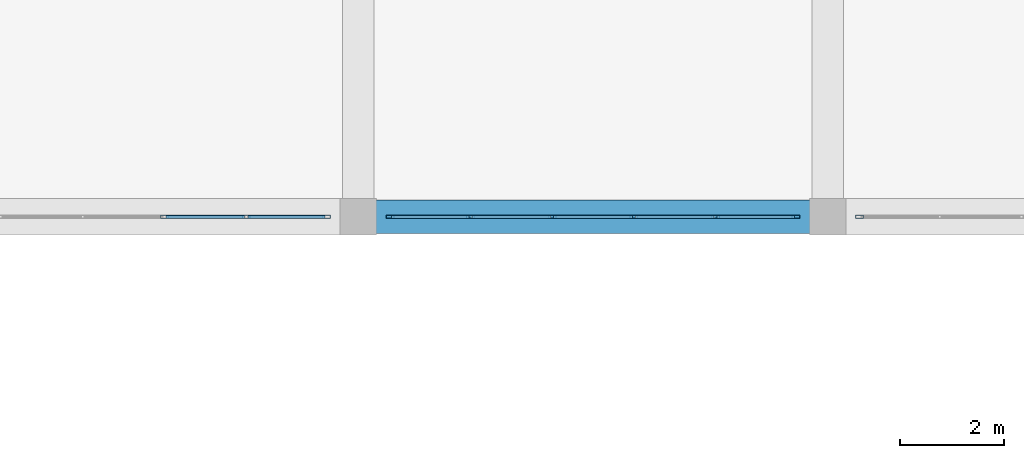
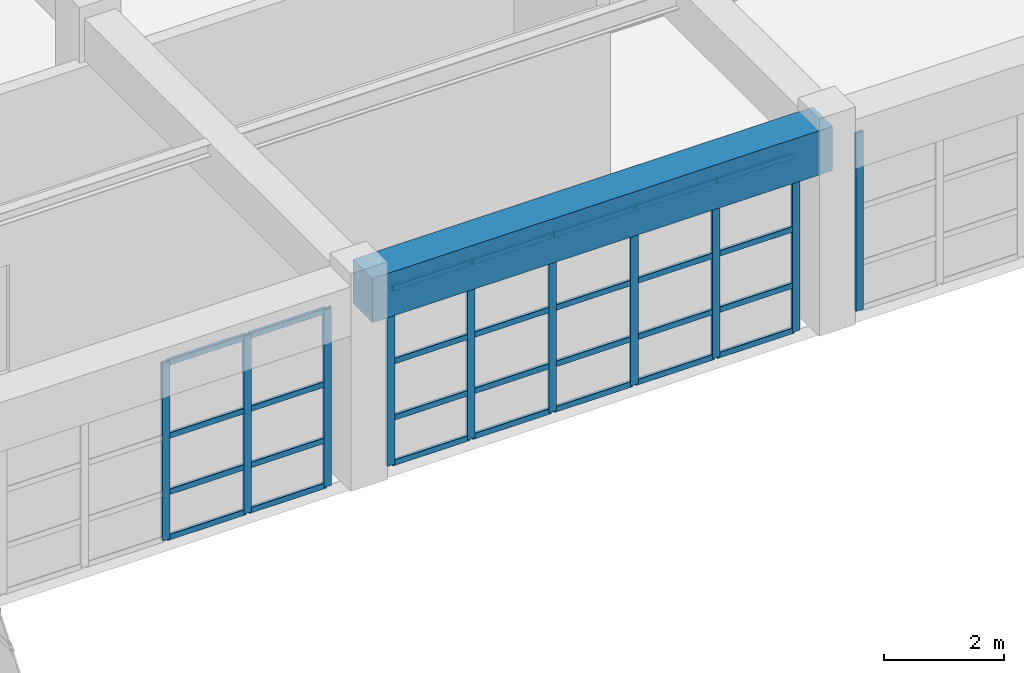
# One storey, part 33 of 133: 38 members, 1 beam, 3 elements without a shape of their own.
"""IFC4 building model written with IfcOpenShell, lengths in metres."""

from ifc_helpers import new_model, si_unit, direction, frame, origin, origin_2d, place, context, subcontext, project, spatial, rectangle, hollow_rectangle, extrude, material, material_profile, profile_set, type_object, element, aggregate, save


model = new_model("IFC4")

# Units and contexts
model_context = context("Model", 3, precision=1e-05, world=origin(), true_north=direction((0.0, 1.0)))
body_context = subcontext(model_context, "Body", "Model", "MODEL_VIEW")
ifc_project = project(units=[si_unit("LENGTHUNIT", "METRE"), si_unit("AREAUNIT", "SQUARE_METRE"), si_unit("VOLUMEUNIT", "CUBIC_METRE"), si_unit("PLANEANGLEUNIT", "RADIAN"), si_unit("MASSUNIT", "GRAM", prefix="KILO")], contexts=[model_context])

# Site, building, storey
site_placement = place(None, origin())
site = spatial("IfcSite", under=ifc_project, at=site_placement, CompositionType="ELEMENT")
building_placement = place(site_placement, origin())
building = spatial("IfcBuilding", under=site, at=building_placement, Name="Miravela Opera House", CompositionType="ELEMENT")
storey_placement = place(building_placement, frame((0.0, 0.0, 5.10009765625)))
storey = spatial("IfcBuildingStorey", under=building, at=storey_placement, Name="L01", CompositionType="ELEMENT", Elevation=5.10009765625)

# Curtain wall, members
ifc_material_1 = material(Name="Anodised architectural bronze aluminium 6063-T6", Category="aluminium")
curtain_wall_type = type_object("IfcCurtainWallType", Name="ARC-CW-06", PredefinedType="NOTDEFINED", material=ifc_material_1)
curtain_wall_1_placement = place(storey_placement, origin())
curtain_wall_1 = element("IfcCurtainWall", 1, at=curtain_wall_1_placement, inside=storey, type_object=curtain_wall_type, Name="Courtyard Arcade Curtain Wall CW-L01-124", PredefinedType="NOTDEFINED")
ifc_material_profile_1 = material_profile(ifc_material_1, hollow_rectangle(XDim=0.06005859375, YDim=0.14990234375, WallThickness=0.00390625, InnerFilletRadius=0.001953125, OuterFilletRadius=0.00390625, at=origin_2d()), Name="CWM-60X150")
ifc_profile_set_1 = profile_set([ifc_material_profile_1])
member_type_1 = type_object("IfcMemberType", Name="ARC-CWM-150", PredefinedType="MULLION", material=ifc_profile_set_1)
member_1_placement = place(storey_placement, frame((32.283935546875, 28.0, 0.0), z_axis=(0.0, 0.0, 1.0), x_axis=(0.0, 1.0, 0.0)))
member_1 = element("IfcMember", 2, at=member_1_placement, type_object=member_type_1, Name="CW-06 mullion 4", PredefinedType="MULLION", context=body_context, shape_type="SweptSolid", body=[
    extrude(hollow_rectangle(XDim=0.06005859375, YDim=0.14990234375, WallThickness=0.00390625, InnerFilletRadius=0.001953125, OuterFilletRadius=0.00390625, at=origin_2d()), origin(), (0.0, 0.0, 1.0), 3.60986328125),
])
member_2_placement = place(storey_placement, frame((33.85205078125, 28.0, 0.0), z_axis=(0.0, 0.0, 1.0), x_axis=(0.0, 1.0, 0.0)))
member_2 = element("IfcMember", 3, at=member_2_placement, type_object=member_type_1, Name="CW-06 mullion 5", PredefinedType="MULLION", context=body_context, shape_type="SweptSolid", body=[
    extrude(hollow_rectangle(XDim=0.06005859375, YDim=0.14990234375, WallThickness=0.00390625, InnerFilletRadius=0.001953125, OuterFilletRadius=0.00390625, at=origin_2d()), origin(), (0.0, 0.0, 1.0), 3.60986328125),
])
member_3_placement = place(storey_placement, frame((35.389892578125, 28.0, 0.0), z_axis=(0.0, 0.0, 1.0), x_axis=(0.0, 1.0, 0.0)))
member_3 = element("IfcMember", 4, at=member_3_placement, type_object=member_type_1, Name="CW-06 mullion 6", PredefinedType="MULLION", context=body_context, shape_type="SweptSolid", body=[
    extrude(hollow_rectangle(XDim=0.06005859375, YDim=0.14990234375, WallThickness=0.00390625, InnerFilletRadius=0.001953125, OuterFilletRadius=0.00390625, at=origin_2d()), origin(), (0.0, 0.0, 1.0), 3.60986328125),
])

curtain_wall_2_placement = place(storey_placement, origin())
curtain_wall_2 = element("IfcCurtainWall", 5, at=curtain_wall_2_placement, inside=storey, type_object=curtain_wall_type, Name="Courtyard Arcade Curtain Wall CW-L01-126", PredefinedType="NOTDEFINED")
member_4_placement = place(storey_placement, frame((36.610107421875, 28.0, 0.0), z_axis=(0.0, 0.0, 1.0), x_axis=(0.0, 1.0, 0.0)))
member_4 = element("IfcMember", 6, at=member_4_placement, type_object=member_type_1, Name="CW-06 mullion 1", PredefinedType="MULLION", context=body_context, shape_type="SweptSolid", body=[
    extrude(hollow_rectangle(XDim=0.06005859375, YDim=0.14990234375, WallThickness=0.00390625, InnerFilletRadius=0.001953125, OuterFilletRadius=0.00390625, at=origin_2d()), origin(), (0.0, 0.0, 1.0), 3.60986328125),
])
member_5_placement = place(storey_placement, frame((38.14794921875, 28.0, 0.0), z_axis=(0.0, 0.0, 1.0), x_axis=(0.0, 1.0, 0.0)))
member_5 = element("IfcMember", 7, at=member_5_placement, type_object=member_type_1, Name="CW-06 mullion 2", PredefinedType="MULLION", context=body_context, shape_type="SweptSolid", body=[
    extrude(hollow_rectangle(XDim=0.06005859375, YDim=0.14990234375, WallThickness=0.00390625, InnerFilletRadius=0.001953125, OuterFilletRadius=0.00390625, at=origin_2d()), origin(), (0.0, 0.0, 1.0), 3.60986328125),
])
member_6_placement = place(storey_placement, frame((39.716064453125, 28.0, 0.0), z_axis=(0.0, 0.0, 1.0), x_axis=(0.0, 1.0, 0.0)))
member_6 = element("IfcMember", 8, at=member_6_placement, type_object=member_type_1, Name="CW-06 mullion 3", PredefinedType="MULLION", context=body_context, shape_type="SweptSolid", body=[
    extrude(hollow_rectangle(XDim=0.06005859375, YDim=0.14990234375, WallThickness=0.00390625, InnerFilletRadius=0.001953125, OuterFilletRadius=0.00390625, at=origin_2d()), origin(), (0.0, 0.0, 1.0), 3.60986328125),
])
member_7_placement = place(storey_placement, frame((41.283935546875, 28.0, 0.0), z_axis=(0.0, 0.0, 1.0), x_axis=(0.0, 1.0, 0.0)))
member_7 = element("IfcMember", 9, at=member_7_placement, type_object=member_type_1, Name="CW-06 mullion 4", PredefinedType="MULLION", context=body_context, shape_type="SweptSolid", body=[
    extrude(hollow_rectangle(XDim=0.06005859375, YDim=0.14990234375, WallThickness=0.00390625, InnerFilletRadius=0.001953125, OuterFilletRadius=0.00390625, at=origin_2d()), origin(), (0.0, 0.0, 1.0), 3.60986328125),
])
member_8_placement = place(storey_placement, frame((42.85205078125, 28.0, 0.0), z_axis=(0.0, 0.0, 1.0), x_axis=(0.0, 1.0, 0.0)))
member_8 = element("IfcMember", 10, at=member_8_placement, type_object=member_type_1, Name="CW-06 mullion 5", PredefinedType="MULLION", context=body_context, shape_type="SweptSolid", body=[
    extrude(hollow_rectangle(XDim=0.06005859375, YDim=0.14990234375, WallThickness=0.00390625, InnerFilletRadius=0.001953125, OuterFilletRadius=0.00390625, at=origin_2d()), origin(), (0.0, 0.0, 1.0), 3.60986328125),
])
member_9_placement = place(storey_placement, frame((44.389892578125, 28.0, 0.0), z_axis=(0.0, 0.0, 1.0), x_axis=(0.0, 1.0, 0.0)))
member_9 = element("IfcMember", 11, at=member_9_placement, type_object=member_type_1, Name="CW-06 mullion 6", PredefinedType="MULLION", context=body_context, shape_type="SweptSolid", body=[
    extrude(hollow_rectangle(XDim=0.06005859375, YDim=0.14990234375, WallThickness=0.00390625, InnerFilletRadius=0.001953125, OuterFilletRadius=0.00390625, at=origin_2d()), origin(), (0.0, 0.0, 1.0), 3.60986328125),
])

# Curtain wall, member
curtain_wall_3_placement = place(storey_placement, origin())
curtain_wall_3 = element("IfcCurtainWall", 12, at=curtain_wall_3_placement, inside=storey, type_object=curtain_wall_type, Name="Courtyard Arcade Curtain Wall CW-L01-128", PredefinedType="NOTDEFINED")
member_10_placement = place(storey_placement, frame((45.610107421875, 28.0, 0.0), z_axis=(0.0, 0.0, 1.0), x_axis=(0.0, 1.0, 0.0)))
member_10 = element("IfcMember", 13, at=member_10_placement, type_object=member_type_1, Name="CW-06 mullion 1", PredefinedType="MULLION", context=body_context, shape_type="SweptSolid", body=[
    extrude(hollow_rectangle(XDim=0.06005859375, YDim=0.14990234375, WallThickness=0.00390625, InnerFilletRadius=0.001953125, OuterFilletRadius=0.00390625, at=origin_2d()), origin(), (0.0, 0.0, 1.0), 3.60986328125),
])
aggregate(curtain_wall_3, [member_10])

# Member
ifc_material_profile_2 = material_profile(ifc_material_1, hollow_rectangle(XDim=0.06005859375, YDim=0.114990234375, WallThickness=0.00390625, InnerFilletRadius=0.001953125, OuterFilletRadius=0.00390625, at=origin_2d()), Name="CWT-60X115")
ifc_profile_set_2 = profile_set([ifc_material_profile_2])
member_type_2 = type_object("IfcMemberType", Name="ARC-CWT-115", PredefinedType="USERDEFINED", material=ifc_profile_set_2)
member_11_placement = place(storey_placement, frame((32.31396484375, 28.0, 0.02978515625), z_axis=(1.0, 0.0, 0.0), x_axis=(0.0, 1.0, 0.0)))
member_11 = element("IfcMember", 14, at=member_11_placement, type_object=member_type_2, Name="CW-06 transom 4.1", ObjectType="TRANSOM", PredefinedType="USERDEFINED", context=body_context, shape_type="SweptSolid", body=[
    extrude(hollow_rectangle(XDim=0.06005859375, YDim=0.114990234375, WallThickness=0.00390625, InnerFilletRadius=0.001953125, OuterFilletRadius=0.00390625, at=origin_2d()), origin(), (0.0, 0.0, 1.0), 1.508056640625),
])

member_12_placement = place(storey_placement, frame((32.31396484375, 28.0, 0.949951171875), z_axis=(1.0, 0.0, 0.0), x_axis=(0.0, 1.0, 0.0)))
member_12 = element("IfcMember", 15, at=member_12_placement, type_object=member_type_2, Name="CW-06 transom 4.2", ObjectType="TRANSOM", PredefinedType="USERDEFINED", context=body_context, shape_type="SweptSolid", body=[
    extrude(hollow_rectangle(XDim=0.06005859375, YDim=0.114990234375, WallThickness=0.00390625, InnerFilletRadius=0.001953125, OuterFilletRadius=0.00390625, at=origin_2d()), origin(), (0.0, 0.0, 1.0), 1.508056640625),
])

member_13_placement = place(storey_placement, frame((32.31396484375, 28.0, 2.09375), z_axis=(1.0, 0.0, 0.0), x_axis=(0.0, 1.0, 0.0)))
member_13 = element("IfcMember", 16, at=member_13_placement, type_object=member_type_2, Name="CW-06 transom 4.3", ObjectType="TRANSOM", PredefinedType="USERDEFINED", context=body_context, shape_type="SweptSolid", body=[
    extrude(hollow_rectangle(XDim=0.06005859375, YDim=0.114990234375, WallThickness=0.00390625, InnerFilletRadius=0.001953125, OuterFilletRadius=0.00390625, at=origin_2d()), origin(), (0.0, 0.0, 1.0), 1.508056640625),
])

member_14_placement = place(storey_placement, frame((32.31396484375, 28.0, 3.579833984375), z_axis=(1.0, 0.0, 0.0), x_axis=(0.0, 1.0, 0.0)))
member_14 = element("IfcMember", 17, at=member_14_placement, type_object=member_type_2, Name="CW-06 transom 4.4", ObjectType="TRANSOM", PredefinedType="USERDEFINED", context=body_context, shape_type="SweptSolid", body=[
    extrude(hollow_rectangle(XDim=0.06005859375, YDim=0.114990234375, WallThickness=0.00390625, InnerFilletRadius=0.001953125, OuterFilletRadius=0.00390625, at=origin_2d()), origin(), (0.0, 0.0, 1.0), 1.508056640625),
])

member_15_placement = place(storey_placement, frame((33.882080078125, 28.0, 0.02978515625), z_axis=(1.0, 0.0, 0.0), x_axis=(0.0, 1.0, 0.0)))
member_15 = element("IfcMember", 18, at=member_15_placement, type_object=member_type_2, Name="CW-06 transom 5.1", ObjectType="TRANSOM", PredefinedType="USERDEFINED", context=body_context, shape_type="SweptSolid", body=[
    extrude(hollow_rectangle(XDim=0.06005859375, YDim=0.114990234375, WallThickness=0.00390625, InnerFilletRadius=0.001953125, OuterFilletRadius=0.00390625, at=origin_2d()), origin(), (0.0, 0.0, 1.0), 1.47802734375),
])

member_16_placement = place(storey_placement, frame((33.882080078125, 28.0, 0.949951171875), z_axis=(1.0, 0.0, 0.0), x_axis=(0.0, 1.0, 0.0)))
member_16 = element("IfcMember", 19, at=member_16_placement, type_object=member_type_2, Name="CW-06 transom 5.2", ObjectType="TRANSOM", PredefinedType="USERDEFINED", context=body_context, shape_type="SweptSolid", body=[
    extrude(hollow_rectangle(XDim=0.06005859375, YDim=0.114990234375, WallThickness=0.00390625, InnerFilletRadius=0.001953125, OuterFilletRadius=0.00390625, at=origin_2d()), origin(), (0.0, 0.0, 1.0), 1.47802734375),
])

member_17_placement = place(storey_placement, frame((33.882080078125, 28.0, 2.09375), z_axis=(1.0, 0.0, 0.0), x_axis=(0.0, 1.0, 0.0)))
member_17 = element("IfcMember", 20, at=member_17_placement, type_object=member_type_2, Name="CW-06 transom 5.3", ObjectType="TRANSOM", PredefinedType="USERDEFINED", context=body_context, shape_type="SweptSolid", body=[
    extrude(hollow_rectangle(XDim=0.06005859375, YDim=0.114990234375, WallThickness=0.00390625, InnerFilletRadius=0.001953125, OuterFilletRadius=0.00390625, at=origin_2d()), origin(), (0.0, 0.0, 1.0), 1.47802734375),
])

member_18_placement = place(storey_placement, frame((33.882080078125, 28.0, 3.579833984375), z_axis=(1.0, 0.0, 0.0), x_axis=(0.0, 1.0, 0.0)))
member_18 = element("IfcMember", 21, at=member_18_placement, type_object=member_type_2, Name="CW-06 transom 5.4", ObjectType="TRANSOM", PredefinedType="USERDEFINED", context=body_context, shape_type="SweptSolid", body=[
    extrude(hollow_rectangle(XDim=0.06005859375, YDim=0.114990234375, WallThickness=0.00390625, InnerFilletRadius=0.001953125, OuterFilletRadius=0.00390625, at=origin_2d()), origin(), (0.0, 0.0, 1.0), 1.47802734375),
])

aggregate(curtain_wall_1, [member_1, member_2, member_3, member_11, member_12, member_13, member_14, member_15, member_16, member_17, member_18])

member_19_placement = place(storey_placement, frame((36.639892578125, 28.0, 0.02978515625), z_axis=(1.0, 0.0, 0.0), x_axis=(0.0, 1.0, 0.0)))
member_19 = element("IfcMember", 22, at=member_19_placement, type_object=member_type_2, Name="CW-06 transom 1.1", ObjectType="TRANSOM", PredefinedType="USERDEFINED", context=body_context, shape_type="SweptSolid", body=[
    extrude(hollow_rectangle(XDim=0.06005859375, YDim=0.114990234375, WallThickness=0.00390625, InnerFilletRadius=0.001953125, OuterFilletRadius=0.00390625, at=origin_2d()), origin(), (0.0, 0.0, 1.0), 1.47802734375),
])

member_20_placement = place(storey_placement, frame((36.639892578125, 28.0, 0.949951171875), z_axis=(1.0, 0.0, 0.0), x_axis=(0.0, 1.0, 0.0)))
member_20 = element("IfcMember", 23, at=member_20_placement, type_object=member_type_2, Name="CW-06 transom 1.2", ObjectType="TRANSOM", PredefinedType="USERDEFINED", context=body_context, shape_type="SweptSolid", body=[
    extrude(hollow_rectangle(XDim=0.06005859375, YDim=0.114990234375, WallThickness=0.00390625, InnerFilletRadius=0.001953125, OuterFilletRadius=0.00390625, at=origin_2d()), origin(), (0.0, 0.0, 1.0), 1.47802734375),
])

member_21_placement = place(storey_placement, frame((36.639892578125, 28.0, 2.09375), z_axis=(1.0, 0.0, 0.0), x_axis=(0.0, 1.0, 0.0)))
member_21 = element("IfcMember", 24, at=member_21_placement, type_object=member_type_2, Name="CW-06 transom 1.3", ObjectType="TRANSOM", PredefinedType="USERDEFINED", context=body_context, shape_type="SweptSolid", body=[
    extrude(hollow_rectangle(XDim=0.06005859375, YDim=0.114990234375, WallThickness=0.00390625, InnerFilletRadius=0.001953125, OuterFilletRadius=0.00390625, at=origin_2d()), origin(), (0.0, 0.0, 1.0), 1.47802734375),
])

member_22_placement = place(storey_placement, frame((36.639892578125, 28.0, 3.579833984375), z_axis=(1.0, 0.0, 0.0), x_axis=(0.0, 1.0, 0.0)))
member_22 = element("IfcMember", 25, at=member_22_placement, type_object=member_type_2, Name="CW-06 transom 1.4", ObjectType="TRANSOM", PredefinedType="USERDEFINED", context=body_context, shape_type="SweptSolid", body=[
    extrude(hollow_rectangle(XDim=0.06005859375, YDim=0.114990234375, WallThickness=0.00390625, InnerFilletRadius=0.001953125, OuterFilletRadius=0.00390625, at=origin_2d()), origin(), (0.0, 0.0, 1.0), 1.47802734375),
])

member_23_placement = place(storey_placement, frame((38.177978515625, 28.0, 0.02978515625), z_axis=(1.0, 0.0, 0.0), x_axis=(0.0, 1.0, 0.0)))
member_23 = element("IfcMember", 26, at=member_23_placement, type_object=member_type_2, Name="CW-06 transom 2.1", ObjectType="TRANSOM", PredefinedType="USERDEFINED", context=body_context, shape_type="SweptSolid", body=[
    extrude(hollow_rectangle(XDim=0.06005859375, YDim=0.114990234375, WallThickness=0.00390625, InnerFilletRadius=0.001953125, OuterFilletRadius=0.00390625, at=origin_2d()), origin(), (0.0, 0.0, 1.0), 1.508056640625),
])

member_24_placement = place(storey_placement, frame((38.177978515625, 28.0, 0.949951171875), z_axis=(1.0, 0.0, 0.0), x_axis=(0.0, 1.0, 0.0)))
member_24 = element("IfcMember", 27, at=member_24_placement, type_object=member_type_2, Name="CW-06 transom 2.2", ObjectType="TRANSOM", PredefinedType="USERDEFINED", context=body_context, shape_type="SweptSolid", body=[
    extrude(hollow_rectangle(XDim=0.06005859375, YDim=0.114990234375, WallThickness=0.00390625, InnerFilletRadius=0.001953125, OuterFilletRadius=0.00390625, at=origin_2d()), origin(), (0.0, 0.0, 1.0), 1.508056640625),
])

member_25_placement = place(storey_placement, frame((38.177978515625, 28.0, 2.09375), z_axis=(1.0, 0.0, 0.0), x_axis=(0.0, 1.0, 0.0)))
member_25 = element("IfcMember", 28, at=member_25_placement, type_object=member_type_2, Name="CW-06 transom 2.3", ObjectType="TRANSOM", PredefinedType="USERDEFINED", context=body_context, shape_type="SweptSolid", body=[
    extrude(hollow_rectangle(XDim=0.06005859375, YDim=0.114990234375, WallThickness=0.00390625, InnerFilletRadius=0.001953125, OuterFilletRadius=0.00390625, at=origin_2d()), origin(), (0.0, 0.0, 1.0), 1.508056640625),
])

member_26_placement = place(storey_placement, frame((38.177978515625, 28.0, 3.579833984375), z_axis=(1.0, 0.0, 0.0), x_axis=(0.0, 1.0, 0.0)))
member_26 = element("IfcMember", 29, at=member_26_placement, type_object=member_type_2, Name="CW-06 transom 2.4", ObjectType="TRANSOM", PredefinedType="USERDEFINED", context=body_context, shape_type="SweptSolid", body=[
    extrude(hollow_rectangle(XDim=0.06005859375, YDim=0.114990234375, WallThickness=0.00390625, InnerFilletRadius=0.001953125, OuterFilletRadius=0.00390625, at=origin_2d()), origin(), (0.0, 0.0, 1.0), 1.508056640625),
])

member_27_placement = place(storey_placement, frame((39.74609375, 28.0, 0.02978515625), z_axis=(1.0, 0.0, 0.0), x_axis=(0.0, 1.0, 0.0)))
member_27 = element("IfcMember", 30, at=member_27_placement, type_object=member_type_2, Name="CW-06 transom 3.1", ObjectType="TRANSOM", PredefinedType="USERDEFINED", context=body_context, shape_type="SweptSolid", body=[
    extrude(hollow_rectangle(XDim=0.06005859375, YDim=0.114990234375, WallThickness=0.00390625, InnerFilletRadius=0.001953125, OuterFilletRadius=0.00390625, at=origin_2d()), origin(), (0.0, 0.0, 1.0), 1.5078125),
])

member_28_placement = place(storey_placement, frame((39.74609375, 28.0, 0.949951171875), z_axis=(1.0, 0.0, 0.0), x_axis=(0.0, 1.0, 0.0)))
member_28 = element("IfcMember", 31, at=member_28_placement, type_object=member_type_2, Name="CW-06 transom 3.2", ObjectType="TRANSOM", PredefinedType="USERDEFINED", context=body_context, shape_type="SweptSolid", body=[
    extrude(hollow_rectangle(XDim=0.06005859375, YDim=0.114990234375, WallThickness=0.00390625, InnerFilletRadius=0.001953125, OuterFilletRadius=0.00390625, at=origin_2d()), origin(), (0.0, 0.0, 1.0), 1.5078125),
])

member_29_placement = place(storey_placement, frame((39.74609375, 28.0, 2.09375), z_axis=(1.0, 0.0, 0.0), x_axis=(0.0, 1.0, 0.0)))
member_29 = element("IfcMember", 32, at=member_29_placement, type_object=member_type_2, Name="CW-06 transom 3.3", ObjectType="TRANSOM", PredefinedType="USERDEFINED", context=body_context, shape_type="SweptSolid", body=[
    extrude(hollow_rectangle(XDim=0.06005859375, YDim=0.114990234375, WallThickness=0.00390625, InnerFilletRadius=0.001953125, OuterFilletRadius=0.00390625, at=origin_2d()), origin(), (0.0, 0.0, 1.0), 1.5078125),
])

member_30_placement = place(storey_placement, frame((39.74609375, 28.0, 3.579833984375), z_axis=(1.0, 0.0, 0.0), x_axis=(0.0, 1.0, 0.0)))
member_30 = element("IfcMember", 33, at=member_30_placement, type_object=member_type_2, Name="CW-06 transom 3.4", ObjectType="TRANSOM", PredefinedType="USERDEFINED", context=body_context, shape_type="SweptSolid", body=[
    extrude(hollow_rectangle(XDim=0.06005859375, YDim=0.114990234375, WallThickness=0.00390625, InnerFilletRadius=0.001953125, OuterFilletRadius=0.00390625, at=origin_2d()), origin(), (0.0, 0.0, 1.0), 1.5078125),
])

member_31_placement = place(storey_placement, frame((41.31396484375, 28.0, 0.02978515625), z_axis=(1.0, 0.0, 0.0), x_axis=(0.0, 1.0, 0.0)))
member_31 = element("IfcMember", 34, at=member_31_placement, type_object=member_type_2, Name="CW-06 transom 4.1", ObjectType="TRANSOM", PredefinedType="USERDEFINED", context=body_context, shape_type="SweptSolid", body=[
    extrude(hollow_rectangle(XDim=0.06005859375, YDim=0.114990234375, WallThickness=0.00390625, InnerFilletRadius=0.001953125, OuterFilletRadius=0.00390625, at=origin_2d()), origin(), (0.0, 0.0, 1.0), 1.508056640625),
])

member_32_placement = place(storey_placement, frame((41.31396484375, 28.0, 0.949951171875), z_axis=(1.0, 0.0, 0.0), x_axis=(0.0, 1.0, 0.0)))
member_32 = element("IfcMember", 35, at=member_32_placement, type_object=member_type_2, Name="CW-06 transom 4.2", ObjectType="TRANSOM", PredefinedType="USERDEFINED", context=body_context, shape_type="SweptSolid", body=[
    extrude(hollow_rectangle(XDim=0.06005859375, YDim=0.114990234375, WallThickness=0.00390625, InnerFilletRadius=0.001953125, OuterFilletRadius=0.00390625, at=origin_2d()), origin(), (0.0, 0.0, 1.0), 1.508056640625),
])

member_33_placement = place(storey_placement, frame((41.31396484375, 28.0, 2.09375), z_axis=(1.0, 0.0, 0.0), x_axis=(0.0, 1.0, 0.0)))
member_33 = element("IfcMember", 36, at=member_33_placement, type_object=member_type_2, Name="CW-06 transom 4.3", ObjectType="TRANSOM", PredefinedType="USERDEFINED", context=body_context, shape_type="SweptSolid", body=[
    extrude(hollow_rectangle(XDim=0.06005859375, YDim=0.114990234375, WallThickness=0.00390625, InnerFilletRadius=0.001953125, OuterFilletRadius=0.00390625, at=origin_2d()), origin(), (0.0, 0.0, 1.0), 1.508056640625),
])

member_34_placement = place(storey_placement, frame((41.31396484375, 28.0, 3.579833984375), z_axis=(1.0, 0.0, 0.0), x_axis=(0.0, 1.0, 0.0)))
member_34 = element("IfcMember", 37, at=member_34_placement, type_object=member_type_2, Name="CW-06 transom 4.4", ObjectType="TRANSOM", PredefinedType="USERDEFINED", context=body_context, shape_type="SweptSolid", body=[
    extrude(hollow_rectangle(XDim=0.06005859375, YDim=0.114990234375, WallThickness=0.00390625, InnerFilletRadius=0.001953125, OuterFilletRadius=0.00390625, at=origin_2d()), origin(), (0.0, 0.0, 1.0), 1.508056640625),
])

member_35_placement = place(storey_placement, frame((42.882080078125, 28.0, 0.02978515625), z_axis=(1.0, 0.0, 0.0), x_axis=(0.0, 1.0, 0.0)))
member_35 = element("IfcMember", 38, at=member_35_placement, type_object=member_type_2, Name="CW-06 transom 5.1", ObjectType="TRANSOM", PredefinedType="USERDEFINED", context=body_context, shape_type="SweptSolid", body=[
    extrude(hollow_rectangle(XDim=0.06005859375, YDim=0.114990234375, WallThickness=0.00390625, InnerFilletRadius=0.001953125, OuterFilletRadius=0.00390625, at=origin_2d()), origin(), (0.0, 0.0, 1.0), 1.47802734375),
])

member_36_placement = place(storey_placement, frame((42.882080078125, 28.0, 0.949951171875), z_axis=(1.0, 0.0, 0.0), x_axis=(0.0, 1.0, 0.0)))
member_36 = element("IfcMember", 39, at=member_36_placement, type_object=member_type_2, Name="CW-06 transom 5.2", ObjectType="TRANSOM", PredefinedType="USERDEFINED", context=body_context, shape_type="SweptSolid", body=[
    extrude(hollow_rectangle(XDim=0.06005859375, YDim=0.114990234375, WallThickness=0.00390625, InnerFilletRadius=0.001953125, OuterFilletRadius=0.00390625, at=origin_2d()), origin(), (0.0, 0.0, 1.0), 1.47802734375),
])

member_37_placement = place(storey_placement, frame((42.882080078125, 28.0, 2.09375), z_axis=(1.0, 0.0, 0.0), x_axis=(0.0, 1.0, 0.0)))
member_37 = element("IfcMember", 40, at=member_37_placement, type_object=member_type_2, Name="CW-06 transom 5.3", ObjectType="TRANSOM", PredefinedType="USERDEFINED", context=body_context, shape_type="SweptSolid", body=[
    extrude(hollow_rectangle(XDim=0.06005859375, YDim=0.114990234375, WallThickness=0.00390625, InnerFilletRadius=0.001953125, OuterFilletRadius=0.00390625, at=origin_2d()), origin(), (0.0, 0.0, 1.0), 1.47802734375),
])

member_38_placement = place(storey_placement, frame((42.882080078125, 28.0, 3.579833984375), z_axis=(1.0, 0.0, 0.0), x_axis=(0.0, 1.0, 0.0)))
member_38 = element("IfcMember", 41, at=member_38_placement, type_object=member_type_2, Name="CW-06 transom 5.4", ObjectType="TRANSOM", PredefinedType="USERDEFINED", context=body_context, shape_type="SweptSolid", body=[
    extrude(hollow_rectangle(XDim=0.06005859375, YDim=0.114990234375, WallThickness=0.00390625, InnerFilletRadius=0.001953125, OuterFilletRadius=0.00390625, at=origin_2d()), origin(), (0.0, 0.0, 1.0), 1.47802734375),
])

aggregate(curtain_wall_2, [member_4, member_5, member_6, member_7, member_8, member_9, member_19, member_20, member_21, member_22, member_23, member_24, member_25, member_26, member_27, member_28, member_29, member_30, member_31, member_32, member_33, member_34, member_35, member_36, member_37, member_38])

# Beam
ifc_material_2 = material(Name="Concrete C40/50", Category="concrete")
ifc_material_profile_3 = material_profile(ifc_material_2, rectangle(XDim=0.64990234375, YDim=0.89990234375, at=origin_2d()), Name="RC-BM-650X900")
ifc_profile_set_3 = profile_set([ifc_material_profile_3])
beam_type = type_object("IfcBeamType", Name="STR-BM-RC650X900", PredefinedType="BEAM", material=ifc_profile_set_3)
beam_placement = place(storey_placement, frame((36.080078125, 28.0, 3.7099609375), z_axis=(1.0, 0.0, 0.0), x_axis=(0.0, 1.0, 0.0)))
element("IfcBeam", 42, at=beam_placement, inside=storey, type_object=beam_type, Name="Floor Girder L01 5-6/D", PredefinedType="BEAM", context=body_context, shape_type="SweptSolid", body=[
    extrude(rectangle(XDim=0.64990234375, YDim=0.89990234375, at=origin_2d()), origin(), (0.0, 0.0, 1.0), 8.83984375),
])

save(model, "model.ifc")
